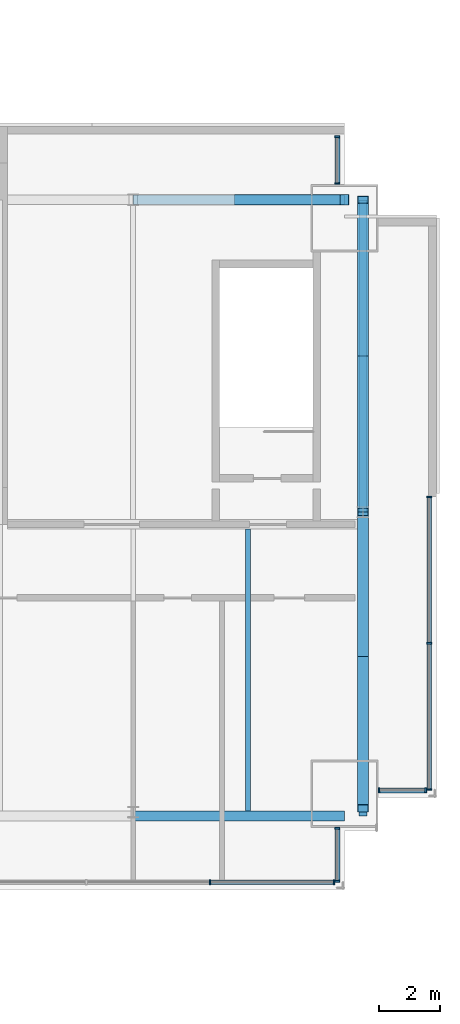
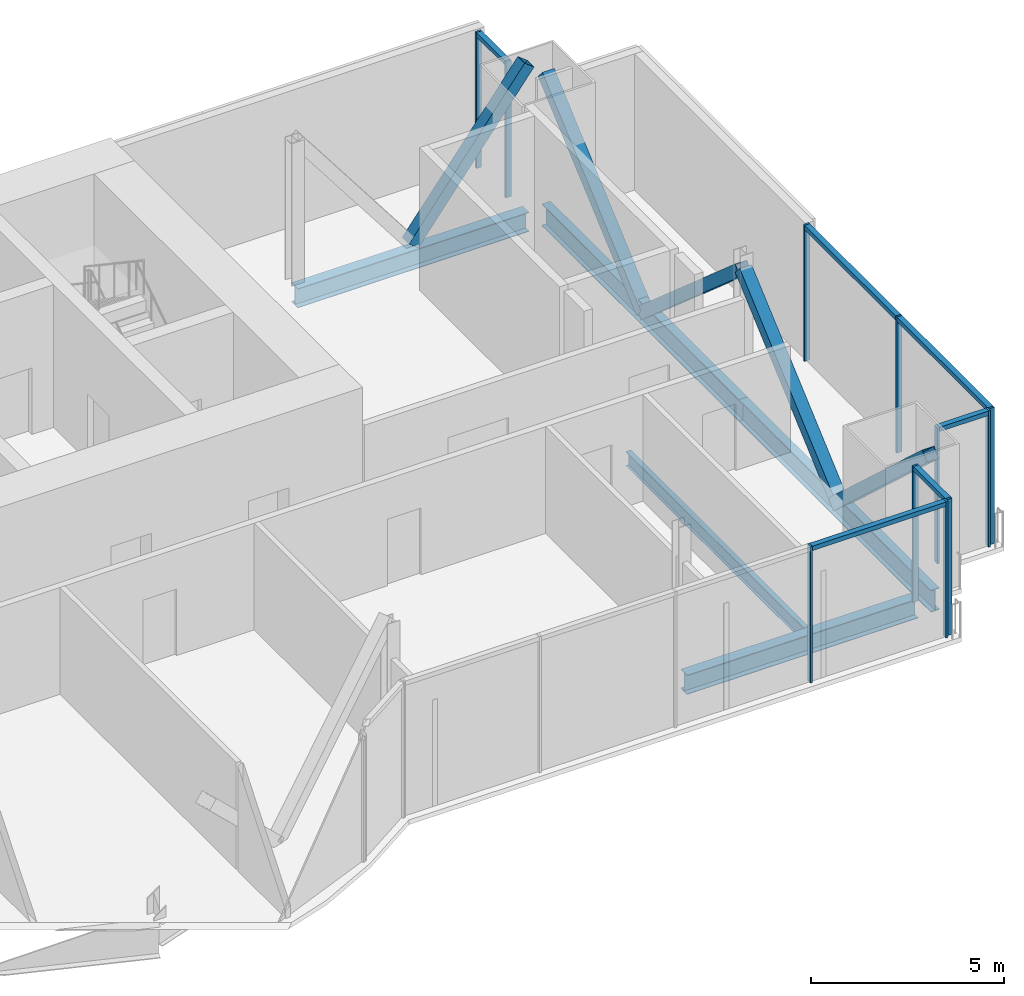
# One storey, part 8 of 16: 22 members, 5 beams, 5 elements without a shape of their own.
"""IFC4 building model written with IfcOpenShell, lengths in metres."""

import ifcopenshell
import ifcopenshell.guid

model = None  # the IFC model being written
_history = None  # IfcOwnerHistory: only IFC2X3 demands one
_inside = {}  # id of a spatial element -> (the spatial element, [elements in it])
_under = {}  # id of a project, library or spatial element -> (it, [spatial elements below it])
_declared = {}  # id of a project -> (the project, [libraries it declares])
_typed = {}  # id of a type object -> (the type object, [elements of that type])
_made_of = {}  # id of a material, layer set ... -> (it, [elements and type objects made of it])


def new_model(schema):
    """Start an empty IFC model of exactly this schema.

    Asked for "IFC4X3", IfcOpenShell would pick the latest addendum, in which some entities
    have other attributes; the version numbers below select the first issue.
    IFC2X3 requires an IfcOwnerHistory on every rooted entity: one is made here for all.
    """
    global model, _history
    if schema == "IFC4X3":
        model = ifcopenshell.file(schema_version=(4, 3, 0, 0))
    else:
        model = ifcopenshell.file(schema=schema)
    _inside.clear()
    _under.clear()
    _declared.clear()
    _typed.clear()
    _made_of.clear()
    _history = None
    if model.schema == "IFC2X3":
        org = make("IfcOrganization", Name="unknown")
        user = make(
            "IfcPersonAndOrganization",
            ThePerson=make("IfcPerson", FamilyName="unknown"),
            TheOrganization=org,
        )
        app = make(
            "IfcApplication",
            ApplicationDeveloper=org,
            Version="unknown",
            ApplicationFullName="unknown",
            ApplicationIdentifier="unknown",
        )
        _history = make(
            "IfcOwnerHistory",
            OwningUser=user,
            OwningApplication=app,
            ChangeAction="ADDED",
            CreationDate=0,
        )
    return model


def make(cls, **values):
    """One entity of the class cls with the attributes given. An attribute that is None is left unset."""
    return model.create_entity(
        cls, **{name: value for name, value in values.items() if value is not None}
    )


def rooted(cls, **values):
    """An entity with a GlobalId (a new one), such as an element, a storey or a relation."""
    return make(cls, GlobalId=ifcopenshell.guid.new(), OwnerHistory=_history, **values)


def si_unit(unit_type, name, prefix=None):
    """IfcSIUnit, for example si_unit("LENGTHUNIT", "METRE", prefix="MILLI")."""
    return make("IfcSIUnit", UnitType=unit_type, Prefix=prefix, Name=name)


def assignment(units):
    """IfcUnitAssignment: the units of a project."""
    return None if units is None else make("IfcUnitAssignment", Units=units)


def point(xyz):
    """IfcCartesianPoint."""
    return None if xyz is None else make("IfcCartesianPoint", Coordinates=xyz)


def direction(xyz):
    """IfcDirection."""
    return None if xyz is None else make("IfcDirection", DirectionRatios=xyz)


def frame(location, z_axis=None, x_axis=None):
    """IfcAxis2Placement3D, a coordinate frame: its origin and axes. An axis left out is left unset."""
    return make(
        "IfcAxis2Placement3D",
        Location=point(location),
        Axis=direction(z_axis),
        RefDirection=direction(x_axis),
    )


def frame_2d(location, x_axis=None):
    """IfcAxis2Placement2D, a coordinate frame in the plane: its origin and x axis."""
    return make(
        "IfcAxis2Placement2D", Location=point(location), RefDirection=direction(x_axis)
    )


def origin():
    """The frame at (0, 0, 0) with its axes left unset."""
    return frame((0.0, 0.0, 0.0))


def origin_2d():
    """The frame at (0, 0) in the plane with its x axis left unset."""
    return frame_2d((0.0, 0.0))


def place(relative_to, where):
    """IfcLocalPlacement: puts the frame where relative to a parent placement (None: the world)."""
    return make(
        "IfcLocalPlacement", PlacementRelTo=relative_to, RelativePlacement=where
    )


def context(
    kind, dimensions, precision=None, world=None, true_north=None, identifier=None
):
    """IfcGeometricRepresentationContext, for example the 3D "Model" context."""
    return make(
        "IfcGeometricRepresentationContext",
        ContextIdentifier=identifier,
        ContextType=kind,
        CoordinateSpaceDimension=dimensions,
        Precision=precision,
        WorldCoordinateSystem=world,
        TrueNorth=true_north,
    )


def subcontext(parent, identifier, kind, view, scale=None):
    """IfcGeometricRepresentationSubContext, for example "Body" below "Model"."""
    return make(
        "IfcGeometricRepresentationSubContext",
        ContextIdentifier=identifier,
        ContextType=kind,
        ParentContext=parent,
        TargetScale=scale,
        TargetView=view,
    )


def project(units=None, contexts=None):
    """IfcProject with its units and contexts."""
    return rooted(
        "IfcProject",
        Name="project",
        RepresentationContexts=contexts,
        UnitsInContext=assignment(units),
    )


def spatial(cls, under=None, at=None, **own):
    """A site, building, storey or space (cls), placed at a placement, below another one or the project."""
    s = rooted(cls, ObjectPlacement=at, **own)
    if under is not None:
        _under.setdefault(under.id(), (under, []))[1].append(s)
    return s


def profile(cls, at=None, kind="AREA", **sizes):
    """A parametric profile (cls). Its sizes go by their IFC names, for example OverallWidth=200.0."""
    return make(cls, ProfileType=kind, Position=at, **sizes)


def rectangle(**sizes):
    """IfcRectangleProfileDef."""
    return profile("IfcRectangleProfileDef", **sizes)


def hollow_rectangle(**sizes):
    """IfcRectangleHollowProfileDef."""
    return profile("IfcRectangleHollowProfileDef", **sizes)


def i_section(**sizes):
    """IfcIShapeProfileDef."""
    return profile("IfcIShapeProfileDef", **sizes)


def extrude(swept, where, along, depth):
    """IfcExtrudedAreaSolid: the profile swept, set in the frame where, extruded along a direction by depth."""
    return make(
        "IfcExtrudedAreaSolid",
        SweptArea=swept,
        Position=where,
        ExtrudedDirection=direction(along),
        Depth=depth,
    )


def shape(context_of_items, identifier, shape_type, items):
    """IfcShapeRepresentation: the items that make up one representation, for example the "Body"."""
    return make(
        "IfcShapeRepresentation",
        ContextOfItems=context_of_items,
        RepresentationIdentifier=identifier,
        RepresentationType=shape_type,
        Items=items,
    )


def material(Name=None, Category=None):
    """IfcMaterial."""
    return make("IfcMaterial", Name=Name, Category=Category)


def material_profile(
    of_material, cross_section, Name=None, Category=None, Priority=None
):
    """IfcMaterialProfile: a cross section and its material."""
    return make(
        "IfcMaterialProfile",
        Name=Name,
        Material=of_material,
        Profile=cross_section,
        Priority=Priority,
        Category=Category,
    )


def profile_set(profiles, Name=None, composite=None):
    """IfcMaterialProfileSet."""
    return make(
        "IfcMaterialProfileSet",
        Name=Name,
        MaterialProfiles=profiles,
        CompositeProfile=composite,
    )


def made_of(thing, what):
    """Note that an element or type object is made of a material, layer set ...; save() writes the relation."""
    if what is not None:
        _made_of.setdefault(what.id(), (what, []))[1].append(thing)
    return thing


def type_object(cls, material=None, **own):
    """A type object (cls), such as IfcWallType, which elements share."""
    return made_of(rooted(cls, **own), material)


def element(
    cls,
    number,
    at=None,
    inside=None,
    cuts=None,
    type_object=None,
    material=None,
    context=None,
    identifier="Body",
    shape_type=None,
    held_by="IfcProductDefinitionShape",
    body=None,
    shapes=None,
    **own,
):
    """One element of the class cls, such as IfcWall. Its Tag is "e" and its number.

    at: its placement. inside: the storey or other place that contains it. cuts: it is an
    opening in that element (IfcRelVoidsElement). A single representation is given by context,
    identifier, shape_type and body (its items); several are given by shapes. held_by: the class
    of the entity that holds the representations. save() writes the other relations.
    """
    e = rooted(cls, Tag="e%d" % number, ObjectPlacement=at, **own)
    if body is not None:
        shapes = [shape(context, identifier, shape_type, body)]
    if shapes is not None:
        e.Representation = make(held_by, Representations=shapes)
    if inside is not None:
        _inside.setdefault(inside.id(), (inside, []))[1].append(e)
    if cuts is not None:
        rooted(
            "IfcRelVoidsElement", RelatingBuildingElement=cuts, RelatedOpeningElement=e
        )
    if type_object is not None:
        _typed.setdefault(type_object.id(), (type_object, []))[1].append(e)
    return made_of(e, material)


def aggregate(whole, parts):
    """IfcRelAggregates: a whole, such as a stair, and the parts it consists of."""
    return rooted("IfcRelAggregates", RelatingObject=whole, RelatedObjects=parts)


def save(model, path):
    """Write the relations noted so far, then the file.

    IfcRelAggregates (storeys below a building ...), IfcRelContainedInSpatialStructure (elements
    in a storey), IfcRelDefinesByType, IfcRelAssociatesMaterial and IfcRelDeclares: one each for
    every whole, place, type object, material and project.
    """
    for whole, parts in _under.values():
        aggregate(whole, parts)
    for where, things in _inside.values():
        rooted(
            "IfcRelContainedInSpatialStructure",
            RelatedElements=things,
            RelatingStructure=where,
        )
    for kind, things in _typed.values():
        rooted("IfcRelDefinesByType", RelatedObjects=things, RelatingType=kind)
    for what, things in _made_of.values():
        rooted("IfcRelAssociatesMaterial", RelatedObjects=things, RelatingMaterial=what)
    for by, libraries in _declared.values():
        rooted("IfcRelDeclares", RelatingContext=by, RelatedDefinitions=libraries)
    model.write(path)


model = new_model("IFC4")

# Units and contexts
model_context = context("Model", 3, precision=1e-05, world=origin(), true_north=direction((0.0, 1.0)))
body_context = subcontext(model_context, "Body", "Model", "MODEL_VIEW")
ifc_project = project(units=[si_unit("LENGTHUNIT", "METRE"), si_unit("AREAUNIT", "SQUARE_METRE"), si_unit("VOLUMEUNIT", "CUBIC_METRE"), si_unit("PLANEANGLEUNIT", "RADIAN"), si_unit("MASSUNIT", "GRAM", prefix="KILO")], contexts=[model_context])

# Site, building, storey
site_placement = place(None, origin())
site = spatial("IfcSite", under=ifc_project, at=site_placement, CompositionType="ELEMENT")
building_placement = place(site_placement, origin())
building = spatial("IfcBuilding", under=site, at=building_placement, Name="Bicima Exchange Tower", CompositionType="ELEMENT")
storey_placement = place(building_placement, frame((0.0, 0.0, 338.0)))
storey = spatial("IfcBuildingStorey", under=building, at=storey_placement, Name="L76", CompositionType="ELEMENT", Elevation=338.0)

# Curtain wall, members
ifc_material_1 = material(Name="Anodised bronze aluminium", Category="aluminium")
curtain_wall_type_1 = type_object("IfcCurtainWallType", Name="End face glass wall", PredefinedType="NOTDEFINED", material=ifc_material_1)
curtain_wall_1_placement = place(storey_placement, origin())
curtain_wall_1 = element("IfcCurtainWall", 1, at=curtain_wall_1_placement, inside=storey, type_object=curtain_wall_type_1, Name="End face glass wall L76 run 19", PredefinedType="NOTDEFINED")
ifc_material_profile_1 = material_profile(ifc_material_1, rectangle(XDim=0.159912109375, YDim=0.06005859375, at=origin_2d()))
ifc_profile_set_1 = profile_set([ifc_material_profile_1], Name="Anodised bronze aluminium")
member_type_1 = type_object("IfcMemberType", Name="End face glass wall mullion 60 x 160", PredefinedType="MULLION", material=ifc_profile_set_1)
member_1_placement = place(storey_placement, frame((35.77001953125, -21.659912109375, 0.0), z_axis=(0.0, 0.0, 1.0), x_axis=(-1.0, 0.0, 0.0)))
member_1 = element("IfcMember", 2, at=member_1_placement, type_object=member_type_1, Name="End face glass wall mullion 1", PredefinedType="MULLION", context=body_context, shape_type="SweptSolid", body=[
    extrude(rectangle(XDim=0.159912109375, YDim=0.06005859375, at=origin_2d()), origin(), (0.0, 0.0, 1.0), 4.300048828125),
])
member_2_placement = place(storey_placement, frame((35.77001953125, -16.885009765625, 0.0), z_axis=(0.0, 0.0, 1.0), x_axis=(-1.0, 0.0, 0.0)))
member_2 = element("IfcMember", 3, at=member_2_placement, type_object=member_type_1, Name="End face glass wall mullion 2", PredefinedType="MULLION", context=body_context, shape_type="SweptSolid", body=[
    extrude(rectangle(XDim=0.159912109375, YDim=0.06005859375, at=origin_2d()), origin(), (0.0, 0.0, 1.0), 4.300048828125),
])
member_3_placement = place(storey_placement, frame((35.77001953125, -12.110107421875, 0.0), z_axis=(0.0, 0.0, 1.0), x_axis=(-1.0, 0.0, 0.0)))
member_3 = element("IfcMember", 4, at=member_3_placement, type_object=member_type_1, Name="End face glass wall mullion 3", PredefinedType="MULLION", context=body_context, shape_type="SweptSolid", body=[
    extrude(rectangle(XDim=0.159912109375, YDim=0.06005859375, at=origin_2d()), origin(), (0.0, 0.0, 1.0), 4.300048828125),
])
ifc_material_profile_2 = material_profile(ifc_material_1, rectangle(XDim=0.159912109375, YDim=0.139892578125, at=origin_2d()))
ifc_profile_set_2 = profile_set([ifc_material_profile_2], Name="Anodised bronze aluminium")
member_type_2 = type_object("IfcMemberType", Name="End face glass wall transom 140 x 160", PredefinedType="USERDEFINED", material=ifc_profile_set_2)
member_4_placement = place(storey_placement, frame((35.77001953125, -21.6298828125, 4.22998046875), z_axis=(0.0, 1.0, 0.0), x_axis=(-1.0, 0.0, 0.0)))
member_4 = element("IfcMember", 5, at=member_4_placement, type_object=member_type_2, Name="End face glass wall transom 1.1", ObjectType="TRANSOM", PredefinedType="USERDEFINED", context=body_context, shape_type="SweptSolid", body=[
    extrude(rectangle(XDim=0.159912109375, YDim=0.139892578125, at=origin_2d()), origin(), (0.0, 0.0, 1.0), 4.71484375),
])
member_5_placement = place(storey_placement, frame((35.77001953125, -16.85498046875, 4.22998046875), z_axis=(0.0, 1.0, 0.0), x_axis=(-1.0, 0.0, 0.0)))
member_5 = element("IfcMember", 6, at=member_5_placement, type_object=member_type_2, Name="End face glass wall transom 2.1", ObjectType="TRANSOM", PredefinedType="USERDEFINED", context=body_context, shape_type="SweptSolid", body=[
    extrude(rectangle(XDim=0.159912109375, YDim=0.139892578125, at=origin_2d()), origin(), (0.0, 0.0, 1.0), 4.715087890625),
])
aggregate(curtain_wall_1, [member_1, member_2, member_3, member_4, member_5])

# Beams
ifc_material_2 = material(Name="Steel ASTM A992 Gr 50", Category="steel")
ifc_material_profile_3 = material_profile(ifc_material_2, i_section(OverallWidth=0.256591796875, OverallDepth=0.693359375, WebThickness=0.014404296875, FlangeThickness=0.023681640625, at=origin_2d()))
ifc_profile_set_3 = profile_set([ifc_material_profile_3], Name="Steel ASTM A992 Gr 50")
beam_type_1 = type_object("IfcBeamType", Name="End girder W27x114", PredefinedType="BEAM", material=ifc_profile_set_3)
beam_1_placement = place(storey_placement, frame((33.60009765625, -2.39990234375, -0.49658203125), z_axis=(0.0, -1.0, 0.0), x_axis=(1.0, 0.0, 0.0)))
element("IfcBeam", 7, at=beam_1_placement, inside=storey, type_object=beam_type_1, Name="End girder", PredefinedType="BEAM", context=body_context, shape_type="SweptSolid", body=[
    extrude(i_section(OverallWidth=0.256591796875, OverallDepth=0.693359375, WebThickness=0.014404296875, FlangeThickness=0.023681640625, at=origin_2d()), origin(), (0.0, 0.0, 1.0), 10.2001953125),
])
beam_2_placement = place(storey_placement, frame((33.60009765625, -12.60009765625, -0.49658203125), z_axis=(0.0, -1.0, 0.0), x_axis=(1.0, 0.0, 0.0)))
element("IfcBeam", 8, at=beam_2_placement, inside=storey, type_object=beam_type_1, Name="End girder", PredefinedType="BEAM", context=body_context, shape_type="SweptSolid", body=[
    extrude(i_section(OverallWidth=0.256591796875, OverallDepth=0.693359375, WebThickness=0.014404296875, FlangeThickness=0.023681640625, at=origin_2d()), origin(), (0.0, 0.0, 1.0), 9.919921875),
])
ifc_material_profile_4 = material_profile(ifc_material_2, i_section(OverallWidth=0.15283203125, OverallDepth=0.45458984375, WebThickness=0.008056640625, FlangeThickness=0.013427734375, at=origin_2d()))
ifc_profile_set_4 = profile_set([ifc_material_profile_4], Name="Steel ASTM A992 Gr 50")
beam_type_2 = type_object("IfcBeamType", Name="Floor beam W18x40", PredefinedType="JOIST", material=ifc_profile_set_4)
beam_3_placement = place(storey_placement, frame((29.85009765625, -13.15234375, -0.377197265625), z_axis=(0.0, -1.0, 0.0), x_axis=(1.0, 0.0, 0.0)))
element("IfcBeam", 9, at=beam_3_placement, inside=storey, type_object=beam_type_2, Name="Floor beam", PredefinedType="JOIST", context=body_context, shape_type="SweptSolid", body=[
    extrude(i_section(OverallWidth=0.15283203125, OverallDepth=0.45458984375, WebThickness=0.008056640625, FlangeThickness=0.013427734375, at=origin_2d()), origin(), (0.0, 0.0, 1.0), 9.205078125),
])
ifc_material_profile_5 = material_profile(ifc_material_2, i_section(OverallWidth=0.3251953125, OverallDepth=0.612060546875, WebThickness=0.0126953125, FlangeThickness=0.01904296875, at=origin_2d()))
ifc_profile_set_5 = profile_set([ifc_material_profile_5], Name="Steel ASTM A992 Gr 50")
beam_type_3 = type_object("IfcBeamType", Name="Front girder W24x104", PredefinedType="BEAM", material=ifc_profile_set_5)
beam_4_placement = place(storey_placement, frame((26.10009765625, -22.52001953125, -0.4560546875), z_axis=(1.0, 0.0, 0.0), x_axis=(0.0, 1.0, 0.0)))
element("IfcBeam", 10, at=beam_4_placement, inside=storey, type_object=beam_type_3, Name="Front girder", PredefinedType="BEAM", context=body_context, shape_type="SweptSolid", body=[
    extrude(i_section(OverallWidth=0.3251953125, OverallDepth=0.612060546875, WebThickness=0.0126953125, FlangeThickness=0.01904296875, at=origin_2d()), origin(), (0.0, 0.0, 1.0), 6.89990234375),
])

# Curtain wall, members
curtain_wall_type_2 = type_object("IfcCurtainWallType", Name="Front glass wall", PredefinedType="NOTDEFINED", material=ifc_material_1)
curtain_wall_2_placement = place(storey_placement, origin())
curtain_wall_2 = element("IfcCurtainWall", 11, at=curtain_wall_2_placement, inside=storey, type_object=curtain_wall_type_2, Name="Front glass wall L76 run 16", PredefinedType="NOTDEFINED")
member_type_3 = type_object("IfcMemberType", Name="Front glass wall mullion 60 x 160", PredefinedType="MULLION", material=ifc_profile_set_1)
member_6_placement = place(storey_placement, frame((28.610595703125, -24.68994140625, 0.0), z_axis=(0.0, 0.0, 1.0), x_axis=(0.0, 1.0, 0.0)))
member_6 = element("IfcMember", 12, at=member_6_placement, type_object=member_type_3, Name="Front glass wall mullion 4", PredefinedType="MULLION", context=body_context, shape_type="SweptSolid", body=[
    extrude(rectangle(XDim=0.159912109375, YDim=0.06005859375, at=origin_2d()), origin(), (0.0, 0.0, 1.0), 4.300048828125),
])
member_7_placement = place(storey_placement, frame((32.659912109375, -24.68994140625, 0.0), z_axis=(0.0, 0.0, 1.0), x_axis=(0.0, 1.0, 0.0)))
member_7 = element("IfcMember", 13, at=member_7_placement, type_object=member_type_3, Name="Front glass wall mullion 5", PredefinedType="MULLION", context=body_context, shape_type="SweptSolid", body=[
    extrude(rectangle(XDim=0.159912109375, YDim=0.06005859375, at=origin_2d()), origin(), (0.0, 0.0, 1.0), 4.300048828125),
])

curtain_wall_3_placement = place(storey_placement, origin())
curtain_wall_3 = element("IfcCurtainWall", 14, at=curtain_wall_3_placement, inside=storey, type_object=curtain_wall_type_2, Name="Front glass wall L76 run 17", PredefinedType="NOTDEFINED")
member_8_placement = place(storey_placement, frame((32.77001953125, -24.659912109375, 0.0), z_axis=(0.0, 0.0, 1.0), x_axis=(-1.0, 0.0, 0.0)))
member_8 = element("IfcMember", 15, at=member_8_placement, type_object=member_type_3, Name="Front glass wall mullion 1", PredefinedType="MULLION", context=body_context, shape_type="SweptSolid", body=[
    extrude(rectangle(XDim=0.159912109375, YDim=0.06005859375, at=origin_2d()), origin(), (0.0, 0.0, 1.0), 4.300048828125),
])
member_9_placement = place(storey_placement, frame((32.77001953125, -22.927978515625, 0.0), z_axis=(0.0, 0.0, 1.0), x_axis=(-1.0, 0.0, 0.0)))
member_9 = element("IfcMember", 16, at=member_9_placement, type_object=member_type_3, Name="Front glass wall mullion 2", PredefinedType="MULLION", context=body_context, shape_type="SweptSolid", body=[
    extrude(rectangle(XDim=0.159912109375, YDim=0.06005859375, at=origin_2d()), origin(), (0.0, 0.0, 1.0), 4.300048828125),
])

curtain_wall_4_placement = place(storey_placement, origin())
curtain_wall_4 = element("IfcCurtainWall", 17, at=curtain_wall_4_placement, inside=storey, type_object=curtain_wall_type_2, Name="Front glass wall L76 run 18", PredefinedType="NOTDEFINED")
member_10_placement = place(storey_placement, frame((34.1298828125, -21.68994140625, 0.0), z_axis=(0.0, 0.0, 1.0), x_axis=(0.0, 1.0, 0.0)))
member_10 = element("IfcMember", 18, at=member_10_placement, type_object=member_type_3, Name="Front glass wall mullion 1", PredefinedType="MULLION", context=body_context, shape_type="SweptSolid", body=[
    extrude(rectangle(XDim=0.159912109375, YDim=0.06005859375, at=origin_2d()), origin(), (0.0, 0.0, 1.0), 4.300048828125),
])
member_11_placement = place(storey_placement, frame((35.659912109375, -21.68994140625, 0.0), z_axis=(0.0, 0.0, 1.0), x_axis=(0.0, 1.0, 0.0)))
member_11 = element("IfcMember", 19, at=member_11_placement, type_object=member_type_3, Name="Front glass wall mullion 2", PredefinedType="MULLION", context=body_context, shape_type="SweptSolid", body=[
    extrude(rectangle(XDim=0.159912109375, YDim=0.06005859375, at=origin_2d()), origin(), (0.0, 0.0, 1.0), 4.300048828125),
])

curtain_wall_5_placement = place(storey_placement, origin())
curtain_wall_5 = element("IfcCurtainWall", 20, at=curtain_wall_5_placement, inside=storey, type_object=curtain_wall_type_2, Name="Front glass wall L76 run 20", PredefinedType="NOTDEFINED")
member_12_placement = place(storey_placement, frame((32.77001953125, -1.8701171875, 0.0), z_axis=(0.0, 0.0, 1.0), x_axis=(-1.0, 0.0, 0.0)))
member_12 = element("IfcMember", 21, at=member_12_placement, type_object=member_type_3, Name="Front glass wall mullion 1", PredefinedType="MULLION", context=body_context, shape_type="SweptSolid", body=[
    extrude(rectangle(XDim=0.159912109375, YDim=0.06005859375, at=origin_2d()), origin(), (0.0, 0.0, 1.0), 4.300048828125),
])
member_13_placement = place(storey_placement, frame((32.77001953125, -0.340087890625, 0.0), z_axis=(0.0, 0.0, 1.0), x_axis=(-1.0, 0.0, 0.0)))
member_13 = element("IfcMember", 22, at=member_13_placement, type_object=member_type_3, Name="Front glass wall mullion 2", PredefinedType="MULLION", context=body_context, shape_type="SweptSolid", body=[
    extrude(rectangle(XDim=0.159912109375, YDim=0.06005859375, at=origin_2d()), origin(), (0.0, 0.0, 1.0), 4.300048828125),
])

# Member
member_type_4 = type_object("IfcMemberType", Name="Front glass wall transom 140 x 160", PredefinedType="USERDEFINED", material=ifc_profile_set_2)
member_14_placement = place(storey_placement, frame((28.640380859375, -24.68994140625, 4.22998046875), z_axis=(1.0, 0.0, 0.0), x_axis=(0.0, 1.0, 0.0)))
member_14 = element("IfcMember", 23, at=member_14_placement, type_object=member_type_4, Name="Front glass wall transom 4.1", ObjectType="TRANSOM", PredefinedType="USERDEFINED", context=body_context, shape_type="SweptSolid", body=[
    extrude(rectangle(XDim=0.159912109375, YDim=0.139892578125, at=origin_2d()), origin(), (0.0, 0.0, 1.0), 3.989501953125),
])

aggregate(curtain_wall_2, [member_6, member_7, member_14])

member_15_placement = place(storey_placement, frame((32.77001953125, -24.6298828125, 4.22998046875), z_axis=(0.0, 1.0, 0.0), x_axis=(-1.0, 0.0, 0.0)))
member_15 = element("IfcMember", 24, at=member_15_placement, type_object=member_type_4, Name="Front glass wall transom 1.1", ObjectType="TRANSOM", PredefinedType="USERDEFINED", context=body_context, shape_type="SweptSolid", body=[
    extrude(rectangle(XDim=0.159912109375, YDim=0.139892578125, at=origin_2d()), origin(), (0.0, 0.0, 1.0), 1.671875),
])

aggregate(curtain_wall_3, [member_8, member_9, member_15])

member_16_placement = place(storey_placement, frame((34.159912109375, -21.68994140625, 4.22998046875), z_axis=(1.0, 0.0, 0.0), x_axis=(0.0, 1.0, 0.0)))
member_16 = element("IfcMember", 25, at=member_16_placement, type_object=member_type_4, Name="Front glass wall transom 1.1", ObjectType="TRANSOM", PredefinedType="USERDEFINED", context=body_context, shape_type="SweptSolid", body=[
    extrude(rectangle(XDim=0.159912109375, YDim=0.139892578125, at=origin_2d()), origin(), (0.0, 0.0, 1.0), 1.469970703125),
])

aggregate(curtain_wall_4, [member_10, member_11, member_16])

member_17_placement = place(storey_placement, frame((32.77001953125, -1.840087890625, 4.22998046875), z_axis=(0.0, 1.0, 0.0), x_axis=(-1.0, 0.0, 0.0)))
member_17 = element("IfcMember", 26, at=member_17_placement, type_object=member_type_4, Name="Front glass wall transom 1.1", ObjectType="TRANSOM", PredefinedType="USERDEFINED", context=body_context, shape_type="SweptSolid", body=[
    extrude(rectangle(XDim=0.159912109375, YDim=0.139892578125, at=origin_2d()), origin(), (0.0, 0.0, 1.0), 1.469970703125),
])

aggregate(curtain_wall_5, [member_12, member_13, member_17])

# Members
ifc_material_3 = material(Name="Steel ASTM A572 Gr 50", Category="steel")
ifc_material_profile_6 = material_profile(ifc_material_3, hollow_rectangle(XDim=0.355712890625, YDim=0.355712890625, WallThickness=0.01171875, at=origin_2d()))
ifc_profile_set_6 = profile_set([ifc_material_profile_6], Name="Steel ASTM A572 Gr 50")
member_type_5 = type_object("IfcMemberType", Name="Mega brace HSS14x14x1/2", PredefinedType="BRACE", material=ifc_profile_set_6)
member_18_placement = place(storey_placement, frame((29.550048828125, -2.39990234375, 0.0), z_axis=(0.608426120198, 0.0, 0.793610519248), x_axis=(0.0, 1.0, 0.0)))
element("IfcMember", 27, at=member_18_placement, inside=storey, type_object=member_type_5, Name="Mega brace rear", PredefinedType="BRACE", context=body_context, shape_type="SweptSolid", body=[
    extrude(hollow_rectangle(XDim=0.355712890625, YDim=0.355712890625, WallThickness=0.01171875, at=origin_2d()), origin(), (0.0, 0.0, 1.0), 5.670166015625),
])
for number, where, z_axis, x_axis, name in (
    (28, (33.60009765625, -7.5, -0.49658203125), (0.0, -0.753501002408, 0.657446757822), (1.0, 0.0, 0.0), "Mega brace east end"),
    (29, (33.60009765625, -7.5, -0.49658203125), (0.0, 0.753501002408, 0.657446757822), (-1.0, 0.0, 0.0), "Mega brace east end"),
):
    element("IfcMember", number, at=place(storey_placement, frame(where, z_axis=z_axis, x_axis=x_axis)), inside=storey, type_object=member_type_5, Name=name, PredefinedType="BRACE", context=body_context, shape_type="SweptSolid", body=[
        extrude(hollow_rectangle(XDim=0.355712890625, YDim=0.355712890625, WallThickness=0.01171875, at=origin_2d()), origin(), (0.0, 0.0, 1.0), 6.7685546875),
    ])
member_19_placement = place(storey_placement, frame((33.60009765625, -17.43798828125, -0.49658203125), z_axis=(0.0, -0.735999852055, 0.67698169678), x_axis=(1.0, 0.0, 0.0)))
element("IfcMember", 30, at=member_19_placement, inside=storey, type_object=member_type_5, Name="Mega brace east end", PredefinedType="BRACE", context=body_context, shape_type="SweptSolid", body=[
    extrude(hollow_rectangle(XDim=0.355712890625, YDim=0.355712890625, WallThickness=0.01171875, at=origin_2d()), origin(), (0.0, 0.0, 1.0), 6.5732421875),
])
member_20_placement = place(storey_placement, frame((33.60009765625, -17.681884765625, -0.49658203125), z_axis=(0.0, 0.752328114181, 0.658788591745), x_axis=(-1.0, 0.0, 0.0)))
element("IfcMember", 31, at=member_20_placement, inside=storey, type_object=member_type_5, Name="Mega brace east end", PredefinedType="BRACE", context=body_context, shape_type="SweptSolid", body=[
    extrude(hollow_rectangle(XDim=0.355712890625, YDim=0.355712890625, WallThickness=0.01171875, at=origin_2d()), origin(), (0.0, 0.0, 1.0), 6.754638671875),
])

# Beam
beam_type_4 = type_object("IfcBeamType", Name="Rear girder W24x104", PredefinedType="BEAM", material=ifc_profile_set_5)
beam_5_placement = place(storey_placement, frame((26.10009765625, -2.39990234375, -0.4560546875), z_axis=(1.0, 0.0, 0.0), x_axis=(0.0, 1.0, 0.0)))
element("IfcBeam", 32, at=beam_5_placement, inside=storey, type_object=beam_type_4, Name="Rear girder", PredefinedType="BEAM", context=body_context, shape_type="SweptSolid", body=[
    extrude(i_section(OverallWidth=0.3251953125, OverallDepth=0.612060546875, WebThickness=0.0126953125, FlangeThickness=0.01904296875, at=origin_2d()), origin(), (0.0, 0.0, 1.0), 6.89990234375),
])

save(model, "model.ifc")
